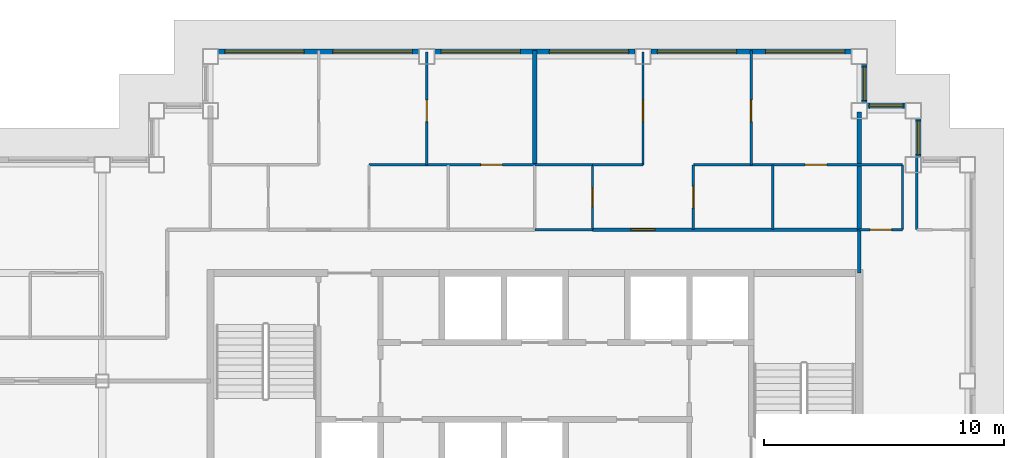
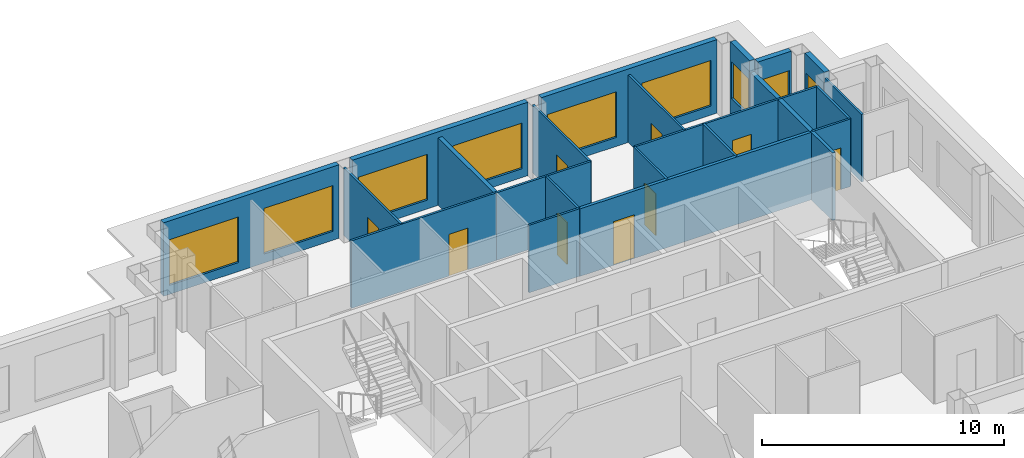
# One storey, part 7 of 12: 24 walls, 9 doors, 9 windows, 18 openings.
"""IFC4 building model written with IfcOpenShell, lengths in metres."""

from ifc_helpers import new_model, si_unit, direction, frame, frame_2d, origin, place, context, subcontext, project, spatial, rectangle, extrude, material, layer, layer_set, type_object, element, fill, save


model = new_model("IFC4")

# Units and contexts
model_context = context("Model", 3, precision=1e-05, world=origin(), true_north=direction((0.0, 1.0)))
body_context = subcontext(model_context, "Body", "Model", "MODEL_VIEW")
ifc_project = project(units=[si_unit("LENGTHUNIT", "METRE"), si_unit("AREAUNIT", "SQUARE_METRE"), si_unit("VOLUMEUNIT", "CUBIC_METRE"), si_unit("PLANEANGLEUNIT", "RADIAN"), si_unit("MASSUNIT", "GRAM", prefix="KILO")], contexts=[model_context])

# Site, building, storey
site_placement = place(None, origin())
site = spatial("IfcSite", under=ifc_project, at=site_placement, CompositionType="ELEMENT")
building_placement = place(site_placement, origin())
building = spatial("IfcBuilding", under=site, at=building_placement, Name="Caravel Reach Hotel and Residences", CompositionType="ELEMENT")
storey_placement = place(building_placement, frame((0.0, 0.0, 214.60009765625)))
storey = spatial("IfcBuildingStorey", under=building, at=storey_placement, Name="L54", CompositionType="ELEMENT", Elevation=214.60009765625)

# Walls
ifc_material_1 = material(Name="Gypsum board on steel stud", Category="steel")
ifc_layer_1 = layer(ifc_material_1, 0.10009765625)
ifc_layer_set_1 = layer_set([ifc_layer_1], Name="Bathroom pod wall 100 mm")
wall_type_1 = type_object("IfcWallType", Name="Bathroom pod wall 100 mm", PredefinedType="PARTITIONING", material=ifc_layer_set_1)
for number, where, z_axis, x_axis, name in (
    (1, (31.5, 33.300048828125, 0.0), (0.0, 0.0, 1.0), (1.0, 0.0, 0.0), "L54 wall w082"),
    (2, (31.5, 36.0, 0.0), (0.0, 0.0, 1.0), (1.0, 0.0, 0.0), "L54 wall w085"),
):
    element("IfcWall", number, at=place(storey_placement, frame(where, z_axis=z_axis, x_axis=x_axis)), inside=storey, type_object=wall_type_1, Name=name, PredefinedType="PARTITIONING", context=body_context, shape_type="SweptSolid", body=[
        extrude(rectangle(XDim=2.39990234375, YDim=0.10009765625, at=frame_2d((1.199951171875, 0.0))), origin(), (0.0, 0.0, 1.0), 3.39990234375),
    ])

# Wall, opening, door
wall_1_placement = place(storey_placement, frame((33.89990234375, 33.300048828125, 0.0), z_axis=(0.0, 0.0, 1.0), x_axis=(0.0, 1.0, 0.0)))
wall_1 = element("IfcWall", 3, at=wall_1_placement, inside=storey, type_object=wall_type_1, Name="L54 wall w098", PredefinedType="PARTITIONING", context=body_context, shape_type="SweptSolid", body=[
    extrude(rectangle(XDim=2.699951171875, YDim=0.10009765625, at=frame_2d((1.35009765625, 0.0))), origin(), (0.0, 0.0, 1.0), 3.39990234375),
])
opening_1_placement = place(wall_1_placement, frame((0.949951171875, 0.0, 0.0)))
opening_1 = element("IfcOpeningElement", 4, at=opening_1_placement, cuts=wall_1, Name="Opening D54-023", PredefinedType="OPENING", context=body_context, shape_type="SweptSolid", body=[
    extrude(rectangle(XDim=0.800048828125, YDim=2.10009765625, at=frame_2d((0.39990234375, 1.050048828125))), frame((0.0, 0.06005859375, 0.0), z_axis=(0.0, -1.0, 0.0), x_axis=(1.0, 0.0, 0.0)), (0.0, 0.0, 1.0), 0.1201171875),
])
ifc_material_2 = material(Name="Timber and steel door leaf", Category="steel")
door_type_1 = type_object("IfcDoorType", Name="Bathroom door 800 x 2100", OperationType="SINGLE_SWING_LEFT", PredefinedType="DOOR", material=ifc_material_2)
door_1_placement = place(opening_1_placement, origin())
door_1 = element("IfcDoor", 5, at=door_1_placement, inside=storey, type_object=door_type_1, Name="door D54-023", OperationType="SINGLE_SWING_LEFT", OverallHeight=2.10009765625, OverallWidth=0.800048828125, PredefinedType="DOOR", context=body_context, shape_type="SweptSolid", body=[
    extrude(rectangle(XDim=0.800048828125, YDim=2.10009765625, at=frame_2d((0.39990234375, 1.050048828125))), frame((0.0, 0.02490234375, 0.0), z_axis=(0.0, -1.0, 0.0), x_axis=(1.0, 0.0, 0.0)), (0.0, 0.0, 1.0), 0.050048828125),
])
fill(opening_1, door_1)

# Wall
wall_2_placement = place(storey_placement, frame((47.39990234375, 33.300048828125, 0.0), z_axis=(0.0, 0.0, 1.0), x_axis=(0.0, 1.0, 0.0)))
element("IfcWall", 6, at=wall_2_placement, inside=storey, type_object=wall_type_1, Name="L54 wall w103", PredefinedType="PARTITIONING", context=body_context, shape_type="SweptSolid", body=[
    extrude(rectangle(XDim=3.02490234375, YDim=0.10009765625, at=frame_2d((1.512451171875, 0.0))), origin(), (0.0, 0.0, 1.0), 3.39990234375),
])

# Wall, opening, door
ifc_material_3 = material(Name="Gypsum board on steel stud, fire-rated", Category="steel")
ifc_layer_2 = layer(ifc_material_3, 0.14990234375)
ifc_layer_set_2 = layer_set([ifc_layer_2], Name="Corridor wall 150 mm EI 60")
wall_type_2 = type_object("IfcWallType", Name="Corridor wall 150 mm EI 60", PredefinedType="PARTITIONING", material=ifc_layer_set_2)
wall_3_placement = place(storey_placement, frame((33.89990234375, 33.300048828125, 0.0), z_axis=(0.0, 0.0, 1.0), x_axis=(1.0, 0.0, 0.0)))
wall_3 = element("IfcWall", 7, at=wall_3_placement, inside=storey, type_object=wall_type_2, Name="L54 wall w014", PredefinedType="PARTITIONING", context=body_context, shape_type="SweptSolid", body=[
    extrude(rectangle(XDim=11.10009765625, YDim=0.14990234375, at=frame_2d((5.550048828125, 0.0))), origin(), (0.0, 0.0, 1.0), 3.39990234375),
])
opening_2_placement = place(wall_3_placement, frame((1.60009765625, 0.0, 0.0)))
opening_2 = element("IfcOpeningElement", 8, at=opening_2_placement, cuts=wall_3, Name="Opening D54-022", PredefinedType="OPENING", context=body_context, shape_type="SweptSolid", body=[
    extrude(rectangle(XDim=1.0, YDim=2.199951171875, at=frame_2d((0.5, 1.10009765625))), frame((0.0, 0.0849609375, 0.0), z_axis=(0.0, -1.0, 0.0), x_axis=(1.0, 0.0, 0.0)), (0.0, 0.0, 1.0), 0.169921875),
])
ifc_material_4 = material(Name="Steel fire door leaf", Category="steel")
door_type_2 = type_object("IfcDoorType", Name="Flat entrance door 1000 x 2200 EI 60", OperationType="SINGLE_SWING_LEFT", PredefinedType="DOOR", material=ifc_material_4)
door_2_placement = place(opening_2_placement, origin())
door_2 = element("IfcDoor", 9, at=door_2_placement, inside=storey, type_object=door_type_2, Name="door D54-022", OperationType="SINGLE_SWING_LEFT", OverallHeight=2.199951171875, OverallWidth=1.0, PredefinedType="DOOR", context=body_context, shape_type="SweptSolid", body=[
    extrude(rectangle(XDim=1.0, YDim=2.199951171875, at=frame_2d((0.5, 1.10009765625))), frame((0.0, 0.02490234375, 0.0), z_axis=(0.0, -1.0, 0.0), x_axis=(1.0, 0.0, 0.0)), (0.0, 0.0, 1.0), 0.050048828125),
])
fill(opening_2, door_2)

# Wall
wall_4_placement = place(storey_placement, frame((45.0, 31.5, 0.0), z_axis=(0.0, 0.0, 1.0), x_axis=(0.0, 1.0, 0.0)))
element("IfcWall", 10, at=wall_4_placement, inside=storey, type_object=wall_type_2, Name="L54 wall w028", PredefinedType="PARTITIONING", context=body_context, shape_type="SweptSolid", body=[
    extrude(rectangle(XDim=1.800048828125, YDim=0.14990234375, at=frame_2d((0.89990234375, 0.0))), origin(), (0.0, 0.0, 1.0), 3.39990234375),
])

# Wall, opening, window
ifc_material_5 = material(Name="Insulated rainscreen wall, aluminium cladding", Category="aluminium")
ifc_layer_3 = layer(ifc_material_5, 0.25)
ifc_layer_set_3 = layer_set([ifc_layer_3], Name="EW1 Tower rainscreen wall")
wall_type_3 = type_object("IfcWallType", Name="EW1 Tower rainscreen wall", PredefinedType="SOLIDWALL", material=ifc_layer_set_3)
wall_5_placement = place(storey_placement, frame((47.449951171875, 36.324951171875, 0.0), z_axis=(0.0, 0.0, 1.0), x_axis=(0.0, 1.0, 0.0)))
wall_5 = element("IfcWall", 11, at=wall_5_placement, inside=storey, type_object=wall_type_3, Name="External wall L54 E8.1", PredefinedType="SOLIDWALL", context=body_context, shape_type="SweptSolid", body=[
    extrude(rectangle(XDim=1.60009765625, YDim=0.25, at=frame_2d((0.800048828125, 0.0))), origin(), (0.0, 0.0, 1.0), 3.699951171875),
])
opening_3_placement = place(wall_5_placement, frame((0.10009765625, 0.0, 0.89990234375)))
opening_3 = element("IfcOpeningElement", 12, at=opening_3_placement, cuts=wall_5, Name="Opening WN22", PredefinedType="OPENING", context=body_context, shape_type="SweptSolid", body=[
    extrude(rectangle(XDim=1.39990234375, YDim=1.85009765625, at=frame_2d((0.699951171875, 0.925048828125))), frame((0.0, 0.135009765625, 0.0), z_axis=(0.0, -1.0, 0.0), x_axis=(1.0, 0.0, 0.0)), (0.0, 0.0, 1.0), 0.27001953125),
])
ifc_material_6 = material(Name="Dark low-e glazing in black aluminium frame", Category="aluminium")
window_type_1 = type_object("IfcWindowType", Name="Residence bedroom window 1400 x 1850", PartitioningType="SINGLE_PANEL", PredefinedType="WINDOW", material=ifc_material_6)
window_1_placement = place(opening_3_placement, origin())
window_1 = element("IfcWindow", 13, at=window_1_placement, inside=storey, type_object=window_type_1, Name="Window L54 E8.1.1", OverallHeight=1.85009765625, OverallWidth=1.39990234375, PartitioningType="SINGLE_PANEL", PredefinedType="WINDOW", context=body_context, shape_type="SweptSolid", body=[
    extrude(rectangle(XDim=1.39990234375, YDim=1.85009765625, at=frame_2d((0.699951171875, 0.925048828125))), frame((0.0, 0.030029296875, 0.0), z_axis=(0.0, -1.0, 0.0), x_axis=(1.0, 0.0, 0.0)), (0.0, 0.0, 1.0), 0.06005859375),
])
fill(opening_3, window_1)

wall_6_placement = place(storey_placement, frame((46.925048828125, 38.449951171875, 0.0), z_axis=(0.0, 0.0, 1.0), x_axis=(-1.0, 0.0, 0.0)))
wall_6 = element("IfcWall", 14, at=wall_6_placement, inside=storey, type_object=wall_type_3, Name="External wall L54 N9.1", PredefinedType="SOLIDWALL", context=body_context, shape_type="SweptSolid", body=[
    extrude(rectangle(XDim=1.60009765625, YDim=0.25, at=frame_2d((0.800048828125, 0.0))), origin(), (0.0, 0.0, 1.0), 3.699951171875),
])
opening_4_placement = place(wall_6_placement, frame((0.10009765625, 0.0, 0.89990234375)))
opening_4 = element("IfcOpeningElement", 15, at=opening_4_placement, cuts=wall_6, Name="Opening WN22", PredefinedType="OPENING", context=body_context, shape_type="SweptSolid", body=[
    extrude(rectangle(XDim=1.39990234375, YDim=1.85009765625, at=frame_2d((0.699951171875, 0.925048828125))), frame((0.0, 0.135009765625, 0.0), z_axis=(0.0, -1.0, 0.0), x_axis=(1.0, 0.0, 0.0)), (0.0, 0.0, 1.0), 0.27001953125),
])
window_2_placement = place(opening_4_placement, origin())
window_2 = element("IfcWindow", 16, at=window_2_placement, inside=storey, type_object=window_type_1, Name="Window L54 N9.1.1", OverallHeight=1.85009765625, OverallWidth=1.39990234375, PartitioningType="SINGLE_PANEL", PredefinedType="WINDOW", context=body_context, shape_type="SweptSolid", body=[
    extrude(rectangle(XDim=1.39990234375, YDim=1.85009765625, at=frame_2d((0.699951171875, 0.925048828125))), frame((0.0, 0.030029296875, 0.0), z_axis=(0.0, -1.0, 0.0), x_axis=(1.0, 0.0, 0.0)), (0.0, 0.0, 1.0), 0.06005859375),
])
fill(opening_4, window_2)

wall_7_placement = place(storey_placement, frame((45.199951171875, 38.574951171875, 0.0), z_axis=(0.0, 0.0, 1.0), x_axis=(0.0, 1.0, 0.0)))
wall_7 = element("IfcWall", 17, at=wall_7_placement, inside=storey, type_object=wall_type_3, Name="External wall L54 E10.1", PredefinedType="SOLIDWALL", context=body_context, shape_type="SweptSolid", body=[
    extrude(rectangle(XDim=1.60009765625, YDim=0.25, at=frame_2d((0.800048828125, 0.0))), origin(), (0.0, 0.0, 1.0), 3.699951171875),
])
opening_5_placement = place(wall_7_placement, frame((0.10009765625, 0.0, 0.89990234375)))
opening_5 = element("IfcOpeningElement", 18, at=opening_5_placement, cuts=wall_7, Name="Opening WN22", PredefinedType="OPENING", context=body_context, shape_type="SweptSolid", body=[
    extrude(rectangle(XDim=1.39990234375, YDim=1.85009765625, at=frame_2d((0.699951171875, 0.925048828125))), frame((0.0, 0.135009765625, 0.0), z_axis=(0.0, -1.0, 0.0), x_axis=(1.0, 0.0, 0.0)), (0.0, 0.0, 1.0), 0.27001953125),
])
window_3_placement = place(opening_5_placement, origin())
window_3 = element("IfcWindow", 19, at=window_3_placement, inside=storey, type_object=window_type_1, Name="Window L54 E10.1.1", OverallHeight=1.85009765625, OverallWidth=1.39990234375, PartitioningType="SINGLE_PANEL", PredefinedType="WINDOW", context=body_context, shape_type="SweptSolid", body=[
    extrude(rectangle(XDim=1.39990234375, YDim=1.85009765625, at=frame_2d((0.699951171875, 0.925048828125))), frame((0.0, 0.030029296875, 0.0), z_axis=(0.0, -1.0, 0.0), x_axis=(1.0, 0.0, 0.0)), (0.0, 0.0, 1.0), 0.06005859375),
])
fill(opening_5, window_3)

# Wall, openings, windows
wall_8_placement = place(storey_placement, frame((44.675048828125, 40.699951171875, 0.0), z_axis=(0.0, 0.0, 1.0), x_axis=(-1.0, 0.0, 0.0)))
wall_8 = element("IfcWall", 20, at=wall_8_placement, inside=storey, type_object=wall_type_3, Name="External wall L54 N11.1", PredefinedType="SOLIDWALL", context=body_context, shape_type="SweptSolid", body=[
    extrude(rectangle(XDim=8.35009765625, YDim=0.25, at=frame_2d((4.175048828125, 0.0))), origin(), (0.0, 0.0, 1.0), 3.699951171875),
])
opening_6_placement = place(wall_8_placement, frame((0.27490234375, 0.0, 0.449951171875)))
opening_6 = element("IfcOpeningElement", 21, at=opening_6_placement, cuts=wall_8, Name="Opening WN15", PredefinedType="OPENING", context=body_context, shape_type="SweptSolid", body=[
    extrude(rectangle(XDim=3.300048828125, YDim=2.300048828125, at=frame_2d((1.64990234375, 1.14990234375))), frame((0.0, 0.135009765625, 0.0), z_axis=(0.0, -1.0, 0.0), x_axis=(1.0, 0.0, 0.0)), (0.0, 0.0, 1.0), 0.27001953125),
])
opening_7_placement = place(wall_8_placement, frame((4.77490234375, 0.0, 0.449951171875)))
opening_7 = element("IfcOpeningElement", 22, at=opening_7_placement, cuts=wall_8, Name="Opening WN15", PredefinedType="OPENING", context=body_context, shape_type="SweptSolid", body=[
    extrude(rectangle(XDim=3.300048828125, YDim=2.300048828125, at=frame_2d((1.64990234375, 1.14990234375))), frame((0.0, 0.135009765625, 0.0), z_axis=(0.0, -1.0, 0.0), x_axis=(1.0, 0.0, 0.0)), (0.0, 0.0, 1.0), 0.27001953125),
])
ifc_material_7 = material(Name="Dark low-e glazing in black aluminium frame", Category="aluminium")
window_type_2 = type_object("IfcWindowType", Name="Residence living window 3300 x 2300", PartitioningType="SINGLE_PANEL", PredefinedType="WINDOW", material=ifc_material_7)
window_4_placement = place(opening_6_placement, origin())
window_4 = element("IfcWindow", 23, at=window_4_placement, inside=storey, type_object=window_type_2, Name="Window L54 N11.1.1", OverallHeight=2.300048828125, OverallWidth=3.300048828125, PartitioningType="SINGLE_PANEL", PredefinedType="WINDOW", context=body_context, shape_type="SweptSolid", body=[
    extrude(rectangle(XDim=3.300048828125, YDim=2.300048828125, at=frame_2d((1.64990234375, 1.14990234375))), frame((0.0, 0.030029296875, 0.0), z_axis=(0.0, -1.0, 0.0), x_axis=(1.0, 0.0, 0.0)), (0.0, 0.0, 1.0), 0.06005859375),
])
fill(opening_6, window_4)
window_5_placement = place(opening_7_placement, origin())
window_5 = element("IfcWindow", 24, at=window_5_placement, inside=storey, type_object=window_type_2, Name="Window L54 N11.1.2", OverallHeight=2.300048828125, OverallWidth=3.300048828125, PartitioningType="SINGLE_PANEL", PredefinedType="WINDOW", context=body_context, shape_type="SweptSolid", body=[
    extrude(rectangle(XDim=3.300048828125, YDim=2.300048828125, at=frame_2d((1.64990234375, 1.14990234375))), frame((0.0, 0.030029296875, 0.0), z_axis=(0.0, -1.0, 0.0), x_axis=(1.0, 0.0, 0.0)), (0.0, 0.0, 1.0), 0.06005859375),
])
fill(opening_7, window_5)

wall_9_placement = place(storey_placement, frame((35.675048828125, 40.699951171875, 0.0), z_axis=(0.0, 0.0, 1.0), x_axis=(-1.0, 0.0, 0.0)))
wall_9 = element("IfcWall", 25, at=wall_9_placement, inside=storey, type_object=wall_type_3, Name="External wall L54 N11.2", PredefinedType="SOLIDWALL", context=body_context, shape_type="SweptSolid", body=[
    extrude(rectangle(XDim=8.35009765625, YDim=0.25, at=frame_2d((4.175048828125, 0.0))), origin(), (0.0, 0.0, 1.0), 3.699951171875),
])
opening_8_placement = place(wall_9_placement, frame((0.27490234375, 0.0, 0.449951171875)))
opening_8 = element("IfcOpeningElement", 26, at=opening_8_placement, cuts=wall_9, Name="Opening WN15", PredefinedType="OPENING", context=body_context, shape_type="SweptSolid", body=[
    extrude(rectangle(XDim=3.300048828125, YDim=2.300048828125, at=frame_2d((1.64990234375, 1.14990234375))), frame((0.0, 0.135009765625, 0.0), z_axis=(0.0, -1.0, 0.0), x_axis=(1.0, 0.0, 0.0)), (0.0, 0.0, 1.0), 0.27001953125),
])
opening_9_placement = place(wall_9_placement, frame((4.77490234375, 0.0, 0.449951171875)))
opening_9 = element("IfcOpeningElement", 27, at=opening_9_placement, cuts=wall_9, Name="Opening WN15", PredefinedType="OPENING", context=body_context, shape_type="SweptSolid", body=[
    extrude(rectangle(XDim=3.300048828125, YDim=2.300048828125, at=frame_2d((1.64990234375, 1.14990234375))), frame((0.0, 0.135009765625, 0.0), z_axis=(0.0, -1.0, 0.0), x_axis=(1.0, 0.0, 0.0)), (0.0, 0.0, 1.0), 0.27001953125),
])
window_6_placement = place(opening_8_placement, origin())
window_6 = element("IfcWindow", 28, at=window_6_placement, inside=storey, type_object=window_type_2, Name="Window L54 N11.2.1", OverallHeight=2.300048828125, OverallWidth=3.300048828125, PartitioningType="SINGLE_PANEL", PredefinedType="WINDOW", context=body_context, shape_type="SweptSolid", body=[
    extrude(rectangle(XDim=3.300048828125, YDim=2.300048828125, at=frame_2d((1.64990234375, 1.14990234375))), frame((0.0, 0.030029296875, 0.0), z_axis=(0.0, -1.0, 0.0), x_axis=(1.0, 0.0, 0.0)), (0.0, 0.0, 1.0), 0.06005859375),
])
fill(opening_8, window_6)
window_7_placement = place(opening_9_placement, origin())
window_7 = element("IfcWindow", 29, at=window_7_placement, inside=storey, type_object=window_type_2, Name="Window L54 N11.2.2", OverallHeight=2.300048828125, OverallWidth=3.300048828125, PartitioningType="SINGLE_PANEL", PredefinedType="WINDOW", context=body_context, shape_type="SweptSolid", body=[
    extrude(rectangle(XDim=3.300048828125, YDim=2.300048828125, at=frame_2d((1.64990234375, 1.14990234375))), frame((0.0, 0.030029296875, 0.0), z_axis=(0.0, -1.0, 0.0), x_axis=(1.0, 0.0, 0.0)), (0.0, 0.0, 1.0), 0.06005859375),
])
fill(opening_9, window_7)

wall_10_placement = place(storey_placement, frame((26.675048828125, 40.699951171875, 0.0), z_axis=(0.0, 0.0, 1.0), x_axis=(-1.0, 0.0, 0.0)))
wall_10 = element("IfcWall", 30, at=wall_10_placement, inside=storey, type_object=wall_type_3, Name="External wall L54 N11.3", PredefinedType="SOLIDWALL", context=body_context, shape_type="SweptSolid", body=[
    extrude(rectangle(XDim=8.35009765625, YDim=0.25, at=frame_2d((4.175048828125, 0.0))), origin(), (0.0, 0.0, 1.0), 3.699951171875),
])
opening_10_placement = place(wall_10_placement, frame((0.27490234375, 0.0, 0.449951171875)))
opening_10 = element("IfcOpeningElement", 31, at=opening_10_placement, cuts=wall_10, Name="Opening WN15", PredefinedType="OPENING", context=body_context, shape_type="SweptSolid", body=[
    extrude(rectangle(XDim=3.300048828125, YDim=2.300048828125, at=frame_2d((1.64990234375, 1.14990234375))), frame((0.0, 0.135009765625, 0.0), z_axis=(0.0, -1.0, 0.0), x_axis=(1.0, 0.0, 0.0)), (0.0, 0.0, 1.0), 0.27001953125),
])
opening_11_placement = place(wall_10_placement, frame((4.77490234375, 0.0, 0.449951171875)))
opening_11 = element("IfcOpeningElement", 32, at=opening_11_placement, cuts=wall_10, Name="Opening WN15", PredefinedType="OPENING", context=body_context, shape_type="SweptSolid", body=[
    extrude(rectangle(XDim=3.300048828125, YDim=2.300048828125, at=frame_2d((1.64990234375, 1.14990234375))), frame((0.0, 0.135009765625, 0.0), z_axis=(0.0, -1.0, 0.0), x_axis=(1.0, 0.0, 0.0)), (0.0, 0.0, 1.0), 0.27001953125),
])
window_8_placement = place(opening_10_placement, origin())
window_8 = element("IfcWindow", 33, at=window_8_placement, inside=storey, type_object=window_type_2, Name="Window L54 N11.3.1", OverallHeight=2.300048828125, OverallWidth=3.300048828125, PartitioningType="SINGLE_PANEL", PredefinedType="WINDOW", context=body_context, shape_type="SweptSolid", body=[
    extrude(rectangle(XDim=3.300048828125, YDim=2.300048828125, at=frame_2d((1.64990234375, 1.14990234375))), frame((0.0, 0.030029296875, 0.0), z_axis=(0.0, -1.0, 0.0), x_axis=(1.0, 0.0, 0.0)), (0.0, 0.0, 1.0), 0.06005859375),
])
fill(opening_10, window_8)
window_9_placement = place(opening_11_placement, origin())
window_9 = element("IfcWindow", 34, at=window_9_placement, inside=storey, type_object=window_type_2, Name="Window L54 N11.3.2", OverallHeight=2.300048828125, OverallWidth=3.300048828125, PartitioningType="SINGLE_PANEL", PredefinedType="WINDOW", context=body_context, shape_type="SweptSolid", body=[
    extrude(rectangle(XDim=3.300048828125, YDim=2.300048828125, at=frame_2d((1.64990234375, 1.14990234375))), frame((0.0, 0.030029296875, 0.0), z_axis=(0.0, -1.0, 0.0), x_axis=(1.0, 0.0, 0.0)), (0.0, 0.0, 1.0), 0.06005859375),
])
fill(opening_11, window_9)

# Wall, opening, door
ifc_material_8 = material(Name="Gypsum board on steel stud", Category="steel")
ifc_layer_4 = layer(ifc_material_8, 0.10009765625)
ifc_layer_set_4 = layer_set([ifc_layer_4], Name="Partition 100 mm")
wall_type_4 = type_object("IfcWallType", Name="Partition 100 mm", PredefinedType="PARTITIONING", material=ifc_layer_set_4)
wall_11_placement = place(storey_placement, frame((45.0, 33.300048828125, 0.0), z_axis=(0.0, 0.0, 1.0), x_axis=(1.0, 0.0, 0.0)))
wall_11 = element("IfcWall", 35, at=wall_11_placement, inside=storey, type_object=wall_type_4, Name="L54 wall w037", PredefinedType="PARTITIONING", context=body_context, shape_type="SweptSolid", body=[
    extrude(rectangle(XDim=1.800048828125, YDim=0.10009765625, at=frame_2d((0.89990234375, 0.0))), origin(), (0.0, 0.0, 1.0), 3.39990234375),
])
opening_12_placement = place(wall_11_placement, frame((0.449951171875, 0.0, 0.0)))
opening_12 = element("IfcOpeningElement", 36, at=opening_12_placement, cuts=wall_11, Name="Opening D54-045", PredefinedType="OPENING", context=body_context, shape_type="SweptSolid", body=[
    extrude(rectangle(XDim=0.89990234375, YDim=2.10009765625, at=frame_2d((0.449951171875, 1.050048828125))), frame((0.0, 0.06005859375, 0.0), z_axis=(0.0, -1.0, 0.0), x_axis=(1.0, 0.0, 0.0)), (0.0, 0.0, 1.0), 0.1201171875),
])
ifc_material_9 = material(Name="Timber and steel door leaf", Category="steel")
door_type_3 = type_object("IfcDoorType", Name="Door 900 x 2100 timber", OperationType="SINGLE_SWING_LEFT", PredefinedType="DOOR", material=ifc_material_9)
door_3_placement = place(opening_12_placement, origin())
door_3 = element("IfcDoor", 37, at=door_3_placement, inside=storey, type_object=door_type_3, Name="door D54-045", OperationType="SINGLE_SWING_LEFT", OverallHeight=2.10009765625, OverallWidth=0.89990234375, PredefinedType="DOOR", context=body_context, shape_type="SweptSolid", body=[
    extrude(rectangle(XDim=0.89990234375, YDim=2.10009765625, at=frame_2d((0.449951171875, 1.050048828125))), frame((0.0, 0.02490234375, 0.0), z_axis=(0.0, -1.0, 0.0), x_axis=(1.0, 0.0, 0.0)), (0.0, 0.0, 1.0), 0.050048828125),
])
fill(opening_12, door_3)

wall_12_placement = place(storey_placement, frame((24.60009765625, 36.0, 0.0), z_axis=(0.0, 0.0, 1.0), x_axis=(1.0, 0.0, 0.0)))
wall_12 = element("IfcWall", 38, at=wall_12_placement, inside=storey, type_object=wall_type_4, Name="L54 wall w040", PredefinedType="PARTITIONING", context=body_context, shape_type="SweptSolid", body=[
    extrude(rectangle(XDim=6.89990234375, YDim=0.10009765625, at=frame_2d((3.449951171875, 0.0))), origin(), (0.0, 0.0, 1.0), 3.39990234375),
])
opening_13_placement = place(wall_12_placement, frame((4.650146484375, 0.0, 0.0)))
opening_13 = element("IfcOpeningElement", 39, at=opening_13_placement, cuts=wall_12, Name="Opening D54-019", PredefinedType="OPENING", context=body_context, shape_type="SweptSolid", body=[
    extrude(rectangle(XDim=0.89990234375, YDim=2.10009765625, at=frame_2d((0.449951171875, 1.050048828125))), frame((0.0, 0.06005859375, 0.0), z_axis=(0.0, -1.0, 0.0), x_axis=(1.0, 0.0, 0.0)), (0.0, 0.0, 1.0), 0.1201171875),
])
door_4_placement = place(opening_13_placement, origin())
door_4 = element("IfcDoor", 40, at=door_4_placement, inside=storey, type_object=door_type_3, Name="door D54-019", OperationType="SINGLE_SWING_RIGHT", OverallHeight=2.10009765625, OverallWidth=0.89990234375, PredefinedType="DOOR", context=body_context, shape_type="SweptSolid", body=[
    extrude(rectangle(XDim=0.89990234375, YDim=2.10009765625, at=frame_2d((0.449951171875, 1.050048828125))), frame((0.0, 0.02490234375, 0.0), z_axis=(0.0, -1.0, 0.0), x_axis=(1.0, 0.0, 0.0)), (0.0, 0.0, 1.0), 0.050048828125),
])
fill(opening_13, door_4)

# Wall
wall_13_placement = place(storey_placement, frame((33.89990234375, 36.0, 0.0), z_axis=(0.0, 0.0, 1.0), x_axis=(1.0, 0.0, 0.0)))
element("IfcWall", 41, at=wall_13_placement, inside=storey, type_object=wall_type_4, Name="L54 wall w042", PredefinedType="PARTITIONING", context=body_context, shape_type="SweptSolid", body=[
    extrude(rectangle(XDim=2.10009765625, YDim=0.10009765625, at=frame_2d((1.050048828125, 0.0))), origin(), (0.0, 0.0, 1.0), 3.39990234375),
])

# Wall, opening, door
wall_14_placement = place(storey_placement, frame((38.10009765625, 36.0, 0.0), z_axis=(0.0, 0.0, 1.0), x_axis=(1.0, 0.0, 0.0)))
wall_14 = element("IfcWall", 42, at=wall_14_placement, inside=storey, type_object=wall_type_4, Name="L54 wall w044", PredefinedType="PARTITIONING", context=body_context, shape_type="SweptSolid", body=[
    extrude(rectangle(XDim=8.699951171875, YDim=0.10009765625, at=frame_2d((4.35009765625, 0.0))), origin(), (0.0, 0.0, 1.0), 3.39990234375),
])
opening_14_placement = place(wall_14_placement, frame((4.650146484375, 0.0, 0.0)))
opening_14 = element("IfcOpeningElement", 43, at=opening_14_placement, cuts=wall_14, Name="Opening D54-025", PredefinedType="OPENING", context=body_context, shape_type="SweptSolid", body=[
    extrude(rectangle(XDim=0.89990234375, YDim=2.10009765625, at=frame_2d((0.449951171875, 1.050048828125))), frame((0.0, 0.06005859375, 0.0), z_axis=(0.0, -1.0, 0.0), x_axis=(1.0, 0.0, 0.0)), (0.0, 0.0, 1.0), 0.1201171875),
])
door_5_placement = place(opening_14_placement, origin())
door_5 = element("IfcDoor", 44, at=door_5_placement, inside=storey, type_object=door_type_3, Name="door D54-025", OperationType="SINGLE_SWING_LEFT", OverallHeight=2.10009765625, OverallWidth=0.89990234375, PredefinedType="DOOR", context=body_context, shape_type="SweptSolid", body=[
    extrude(rectangle(XDim=0.89990234375, YDim=2.10009765625, at=frame_2d((0.449951171875, 1.050048828125))), frame((0.0, 0.02490234375, 0.0), z_axis=(0.0, -1.0, 0.0), x_axis=(1.0, 0.0, 0.0)), (0.0, 0.0, 1.0), 0.050048828125),
])
fill(opening_14, door_5)

wall_15_placement = place(storey_placement, frame((27.0, 36.0, 0.0), z_axis=(0.0, 0.0, 1.0), x_axis=(0.0, 1.0, 0.0)))
wall_15 = element("IfcWall", 45, at=wall_15_placement, inside=storey, type_object=wall_type_4, Name="L54 wall w053", PredefinedType="PARTITIONING", context=body_context, shape_type="SweptSolid", body=[
    extrude(rectangle(XDim=4.68994140625, YDim=0.10009765625, at=frame_2d((2.344970703125, 0.0))), origin(), (0.0, 0.0, 1.0), 3.39990234375),
])
opening_15_placement = place(wall_15_placement, frame((1.800048828125, 0.0, 0.0)))
opening_15 = element("IfcOpeningElement", 46, at=opening_15_placement, cuts=wall_15, Name="Opening D54-021", PredefinedType="OPENING", context=body_context, shape_type="SweptSolid", body=[
    extrude(rectangle(XDim=0.89990234375, YDim=2.10009765625, at=frame_2d((0.449951171875, 1.050048828125))), frame((0.0, 0.06005859375, 0.0), z_axis=(0.0, -1.0, 0.0), x_axis=(1.0, 0.0, 0.0)), (0.0, 0.0, 1.0), 0.1201171875),
])
door_6_placement = place(opening_15_placement, origin())
door_6 = element("IfcDoor", 47, at=door_6_placement, inside=storey, type_object=door_type_3, Name="door D54-021", OperationType="SINGLE_SWING_RIGHT", OverallHeight=2.10009765625, OverallWidth=0.89990234375, PredefinedType="DOOR", context=body_context, shape_type="SweptSolid", body=[
    extrude(rectangle(XDim=0.89990234375, YDim=2.10009765625, at=frame_2d((0.449951171875, 1.050048828125))), frame((0.0, 0.02490234375, 0.0), z_axis=(0.0, -1.0, 0.0), x_axis=(1.0, 0.0, 0.0)), (0.0, 0.0, 1.0), 0.050048828125),
])
fill(opening_15, door_6)

wall_16_placement = place(storey_placement, frame((36.0, 36.0, 0.0), z_axis=(0.0, 0.0, 1.0), x_axis=(0.0, 1.0, 0.0)))
wall_16 = element("IfcWall", 48, at=wall_16_placement, inside=storey, type_object=wall_type_4, Name="L54 wall w057", PredefinedType="PARTITIONING", context=body_context, shape_type="SweptSolid", body=[
    extrude(rectangle(XDim=4.68994140625, YDim=0.10009765625, at=frame_2d((2.344970703125, 0.0))), origin(), (0.0, 0.0, 1.0), 3.39990234375),
])
opening_16_placement = place(wall_16_placement, frame((1.800048828125, 0.0, 0.0)))
opening_16 = element("IfcOpeningElement", 49, at=opening_16_placement, cuts=wall_16, Name="Opening D54-026", PredefinedType="OPENING", context=body_context, shape_type="SweptSolid", body=[
    extrude(rectangle(XDim=0.89990234375, YDim=2.10009765625, at=frame_2d((0.449951171875, 1.050048828125))), frame((0.0, 0.06005859375, 0.0), z_axis=(0.0, -1.0, 0.0), x_axis=(1.0, 0.0, 0.0)), (0.0, 0.0, 1.0), 0.1201171875),
])
door_7_placement = place(opening_16_placement, origin())
door_7 = element("IfcDoor", 50, at=door_7_placement, inside=storey, type_object=door_type_3, Name="door D54-026", OperationType="SINGLE_SWING_RIGHT", OverallHeight=2.10009765625, OverallWidth=0.89990234375, PredefinedType="DOOR", context=body_context, shape_type="SweptSolid", body=[
    extrude(rectangle(XDim=0.89990234375, YDim=2.10009765625, at=frame_2d((0.449951171875, 1.050048828125))), frame((0.0, 0.02490234375, 0.0), z_axis=(0.0, -1.0, 0.0), x_axis=(1.0, 0.0, 0.0)), (0.0, 0.0, 1.0), 0.050048828125),
])
fill(opening_16, door_7)

wall_17_placement = place(storey_placement, frame((38.10009765625, 33.300048828125, 0.0), z_axis=(0.0, 0.0, 1.0), x_axis=(0.0, 1.0, 0.0)))
wall_17 = element("IfcWall", 51, at=wall_17_placement, inside=storey, type_object=wall_type_4, Name="L54 wall w060", PredefinedType="PARTITIONING", context=body_context, shape_type="SweptSolid", body=[
    extrude(rectangle(XDim=2.699951171875, YDim=0.10009765625, at=frame_2d((1.35009765625, 0.0))), origin(), (0.0, 0.0, 1.0), 3.39990234375),
])
opening_17_placement = place(wall_17_placement, frame((0.89990234375, 0.0, 0.0)))
opening_17 = element("IfcOpeningElement", 52, at=opening_17_placement, cuts=wall_17, Name="Opening D54-024", PredefinedType="OPENING", context=body_context, shape_type="SweptSolid", body=[
    extrude(rectangle(XDim=0.89990234375, YDim=2.10009765625, at=frame_2d((0.449951171875, 1.050048828125))), frame((0.0, 0.06005859375, 0.0), z_axis=(0.0, -1.0, 0.0), x_axis=(1.0, 0.0, 0.0)), (0.0, 0.0, 1.0), 0.1201171875),
])
door_8_placement = place(opening_17_placement, origin())
door_8 = element("IfcDoor", 53, at=door_8_placement, inside=storey, type_object=door_type_3, Name="door D54-024", OperationType="SINGLE_SWING_LEFT", OverallHeight=2.10009765625, OverallWidth=0.89990234375, PredefinedType="DOOR", context=body_context, shape_type="SweptSolid", body=[
    extrude(rectangle(XDim=0.89990234375, YDim=2.10009765625, at=frame_2d((0.449951171875, 1.050048828125))), frame((0.0, 0.02490234375, 0.0), z_axis=(0.0, -1.0, 0.0), x_axis=(1.0, 0.0, 0.0)), (0.0, 0.0, 1.0), 0.050048828125),
])
fill(opening_17, door_8)

wall_18_placement = place(storey_placement, frame((40.5, 36.0, 0.0), z_axis=(0.0, 0.0, 1.0), x_axis=(0.0, 1.0, 0.0)))
wall_18 = element("IfcWall", 54, at=wall_18_placement, inside=storey, type_object=wall_type_4, Name="L54 wall w063", PredefinedType="PARTITIONING", context=body_context, shape_type="SweptSolid", body=[
    extrude(rectangle(XDim=4.764892578125, YDim=0.10009765625, at=frame_2d((2.38232421875, 0.0))), origin(), (0.0, 0.0, 1.0), 3.39990234375),
])
opening_18_placement = place(wall_18_placement, frame((1.800048828125, 0.0, 0.0)))
opening_18 = element("IfcOpeningElement", 55, at=opening_18_placement, cuts=wall_18, Name="Opening D54-027", PredefinedType="OPENING", context=body_context, shape_type="SweptSolid", body=[
    extrude(rectangle(XDim=0.89990234375, YDim=2.10009765625, at=frame_2d((0.449951171875, 1.050048828125))), frame((0.0, 0.06005859375, 0.0), z_axis=(0.0, -1.0, 0.0), x_axis=(1.0, 0.0, 0.0)), (0.0, 0.0, 1.0), 0.1201171875),
])
door_9_placement = place(opening_18_placement, origin())
door_9 = element("IfcDoor", 56, at=door_9_placement, inside=storey, type_object=door_type_3, Name="door D54-027", OperationType="SINGLE_SWING_LEFT", OverallHeight=2.10009765625, OverallWidth=0.89990234375, PredefinedType="DOOR", context=body_context, shape_type="SweptSolid", body=[
    extrude(rectangle(XDim=0.89990234375, YDim=2.10009765625, at=frame_2d((0.449951171875, 1.050048828125))), frame((0.0, 0.02490234375, 0.0), z_axis=(0.0, -1.0, 0.0), x_axis=(1.0, 0.0, 0.0)), (0.0, 0.0, 1.0), 0.050048828125),
])
fill(opening_18, door_9)

# Walls
for number, where, z_axis, x_axis, name in (
    (57, (41.39990234375, 33.300048828125, 0.0), (0.0, 0.0, 1.0), (0.0, 1.0, 0.0), "L54 wall w064"),
    (58, (46.800048828125, 33.300048828125, 0.0), (0.0, 0.0, 1.0), (0.0, 1.0, 0.0), "L54 wall w067"),
):
    element("IfcWall", number, at=place(storey_placement, frame(where, z_axis=z_axis, x_axis=x_axis)), inside=storey, type_object=wall_type_4, Name=name, PredefinedType="PARTITIONING", context=body_context, shape_type="SweptSolid", body=[
        extrude(rectangle(XDim=2.699951171875, YDim=0.10009765625, at=frame_2d((1.35009765625, 0.0))), origin(), (0.0, 0.0, 1.0), 3.39990234375),
    ])
ifc_material_10 = material(Name="Autoclaved aerated block wall")
ifc_layer_5 = layer(ifc_material_10, 0.199951171875)
ifc_layer_set_5 = layer_set([ifc_layer_5], Name="Party wall 200 mm EI 60")
wall_type_5 = type_object("IfcWallType", Name="Party wall 200 mm EI 60", PredefinedType="PARTITIONING", material=ifc_layer_set_5)
wall_19_placement = place(storey_placement, frame((31.5, 36.0, 0.0), z_axis=(0.0, 0.0, 1.0), x_axis=(0.0, 1.0, 0.0)))
element("IfcWall", 59, at=wall_19_placement, inside=storey, type_object=wall_type_5, Name="L54 wall w073", PredefinedType="PARTITIONING", context=body_context, shape_type="SweptSolid", body=[
    extrude(rectangle(XDim=4.764892578125, YDim=0.199951171875, at=frame_2d((2.38232421875, 0.0))), origin(), (0.0, 0.0, 1.0), 3.39990234375),
])
wall_20_placement = place(storey_placement, frame((45.0, 33.300048828125, 0.0), z_axis=(0.0, 0.0, 1.0), x_axis=(0.0, 1.0, 0.0)))
element("IfcWall", 60, at=wall_20_placement, inside=storey, type_object=wall_type_5, Name="L54 wall w075", PredefinedType="PARTITIONING", context=body_context, shape_type="SweptSolid", body=[
    extrude(rectangle(XDim=4.89990234375, YDim=0.199951171875, at=frame_2d((2.449951171875, 0.0))), origin(), (0.0, 0.0, 1.0), 3.39990234375),
])

save(model, "model.ifc")
